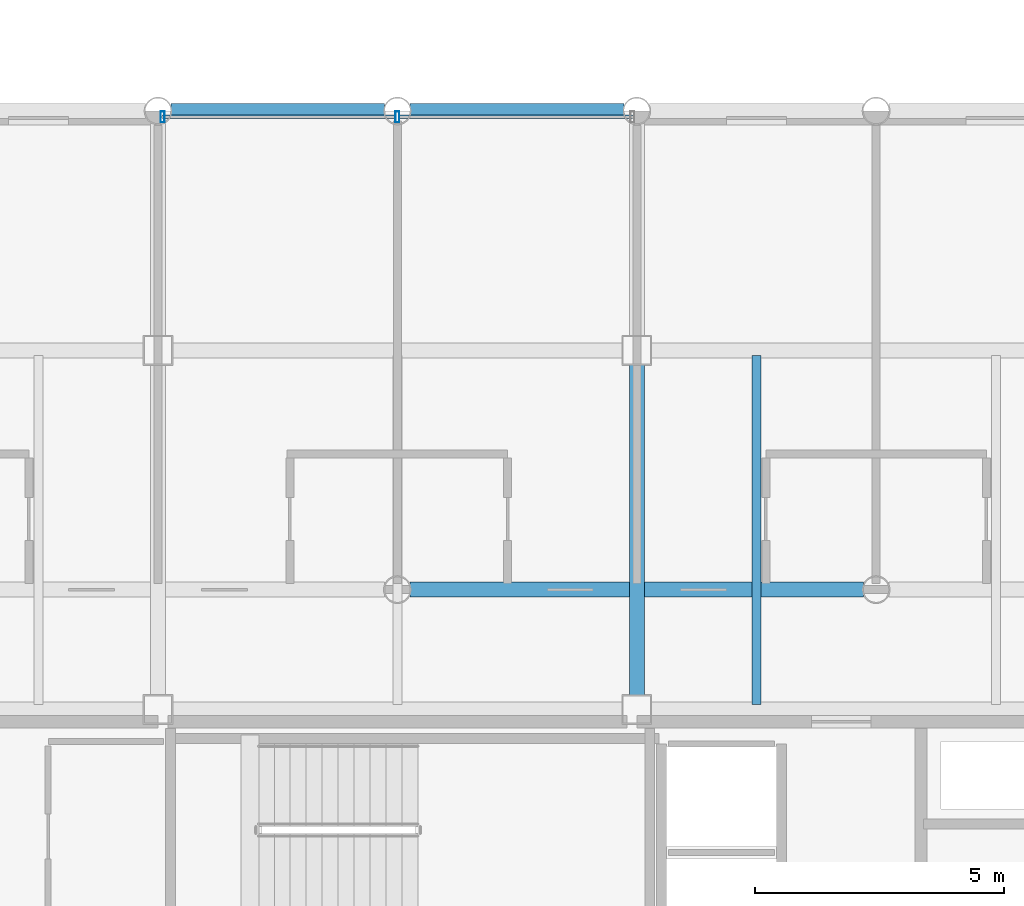
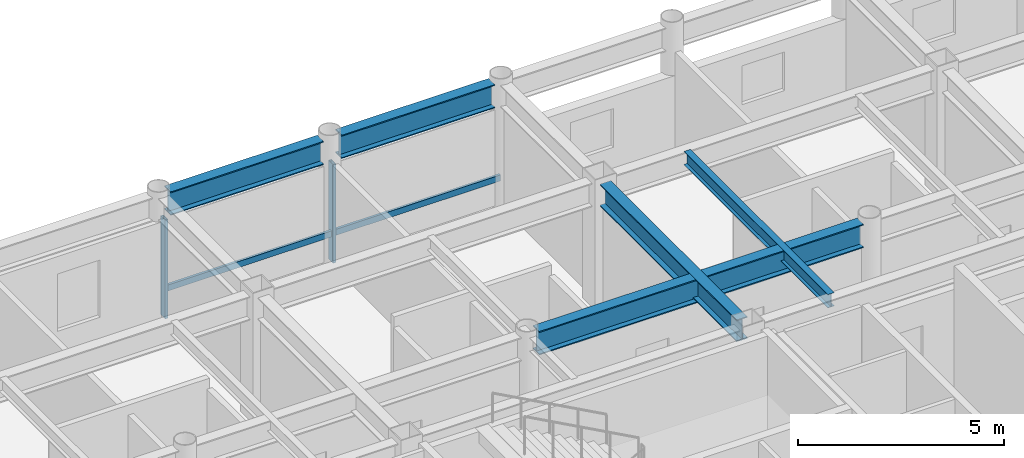
# One storey, part 13 of 23: 5 beams, 4 members, 1 element without a shape of its own.
"""IFC4 building model written with IfcOpenShell, lengths in metres."""

import ifcopenshell
import ifcopenshell.guid

model = None  # the IFC model being written
_history = None  # IfcOwnerHistory: only IFC2X3 demands one
_inside = {}  # id of a spatial element -> (the spatial element, [elements in it])
_under = {}  # id of a project, library or spatial element -> (it, [spatial elements below it])
_declared = {}  # id of a project -> (the project, [libraries it declares])
_typed = {}  # id of a type object -> (the type object, [elements of that type])
_made_of = {}  # id of a material, layer set ... -> (it, [elements and type objects made of it])


def new_model(schema):
    """Start an empty IFC model of exactly this schema.

    Asked for "IFC4X3", IfcOpenShell would pick the latest addendum, in which some entities
    have other attributes; the version numbers below select the first issue.
    IFC2X3 requires an IfcOwnerHistory on every rooted entity: one is made here for all.
    """
    global model, _history
    if schema == "IFC4X3":
        model = ifcopenshell.file(schema_version=(4, 3, 0, 0))
    else:
        model = ifcopenshell.file(schema=schema)
    _inside.clear()
    _under.clear()
    _declared.clear()
    _typed.clear()
    _made_of.clear()
    _history = None
    if model.schema == "IFC2X3":
        org = make("IfcOrganization", Name="unknown")
        user = make(
            "IfcPersonAndOrganization",
            ThePerson=make("IfcPerson", FamilyName="unknown"),
            TheOrganization=org,
        )
        app = make(
            "IfcApplication",
            ApplicationDeveloper=org,
            Version="unknown",
            ApplicationFullName="unknown",
            ApplicationIdentifier="unknown",
        )
        _history = make(
            "IfcOwnerHistory",
            OwningUser=user,
            OwningApplication=app,
            ChangeAction="ADDED",
            CreationDate=0,
        )
    return model


def make(cls, **values):
    """One entity of the class cls with the attributes given. An attribute that is None is left unset."""
    return model.create_entity(
        cls, **{name: value for name, value in values.items() if value is not None}
    )


def rooted(cls, **values):
    """An entity with a GlobalId (a new one), such as an element, a storey or a relation."""
    return make(cls, GlobalId=ifcopenshell.guid.new(), OwnerHistory=_history, **values)


def si_unit(unit_type, name, prefix=None):
    """IfcSIUnit, for example si_unit("LENGTHUNIT", "METRE", prefix="MILLI")."""
    return make("IfcSIUnit", UnitType=unit_type, Prefix=prefix, Name=name)


def assignment(units):
    """IfcUnitAssignment: the units of a project."""
    return None if units is None else make("IfcUnitAssignment", Units=units)


def point(xyz):
    """IfcCartesianPoint."""
    return None if xyz is None else make("IfcCartesianPoint", Coordinates=xyz)


def direction(xyz):
    """IfcDirection."""
    return None if xyz is None else make("IfcDirection", DirectionRatios=xyz)


def frame(location, z_axis=None, x_axis=None):
    """IfcAxis2Placement3D, a coordinate frame: its origin and axes. An axis left out is left unset."""
    return make(
        "IfcAxis2Placement3D",
        Location=point(location),
        Axis=direction(z_axis),
        RefDirection=direction(x_axis),
    )


def frame_2d(location, x_axis=None):
    """IfcAxis2Placement2D, a coordinate frame in the plane: its origin and x axis."""
    return make(
        "IfcAxis2Placement2D", Location=point(location), RefDirection=direction(x_axis)
    )


def origin():
    """The frame at (0, 0, 0) with its axes left unset."""
    return frame((0.0, 0.0, 0.0))


def origin_2d():
    """The frame at (0, 0) in the plane with its x axis left unset."""
    return frame_2d((0.0, 0.0))


def place(relative_to, where):
    """IfcLocalPlacement: puts the frame where relative to a parent placement (None: the world)."""
    return make(
        "IfcLocalPlacement", PlacementRelTo=relative_to, RelativePlacement=where
    )


def context(
    kind, dimensions, precision=None, world=None, true_north=None, identifier=None
):
    """IfcGeometricRepresentationContext, for example the 3D "Model" context."""
    return make(
        "IfcGeometricRepresentationContext",
        ContextIdentifier=identifier,
        ContextType=kind,
        CoordinateSpaceDimension=dimensions,
        Precision=precision,
        WorldCoordinateSystem=world,
        TrueNorth=true_north,
    )


def subcontext(parent, identifier, kind, view, scale=None):
    """IfcGeometricRepresentationSubContext, for example "Body" below "Model"."""
    return make(
        "IfcGeometricRepresentationSubContext",
        ContextIdentifier=identifier,
        ContextType=kind,
        ParentContext=parent,
        TargetScale=scale,
        TargetView=view,
    )


def project(units=None, contexts=None):
    """IfcProject with its units and contexts."""
    return rooted(
        "IfcProject",
        Name="project",
        RepresentationContexts=contexts,
        UnitsInContext=assignment(units),
    )


def spatial(cls, under=None, at=None, **own):
    """A site, building, storey or space (cls), placed at a placement, below another one or the project."""
    s = rooted(cls, ObjectPlacement=at, **own)
    if under is not None:
        _under.setdefault(under.id(), (under, []))[1].append(s)
    return s


def profile(cls, at=None, kind="AREA", **sizes):
    """A parametric profile (cls). Its sizes go by their IFC names, for example OverallWidth=200.0."""
    return make(cls, ProfileType=kind, Position=at, **sizes)


def hollow_rectangle(**sizes):
    """IfcRectangleHollowProfileDef."""
    return profile("IfcRectangleHollowProfileDef", **sizes)


def i_section(**sizes):
    """IfcIShapeProfileDef."""
    return profile("IfcIShapeProfileDef", **sizes)


def extrude(swept, where, along, depth):
    """IfcExtrudedAreaSolid: the profile swept, set in the frame where, extruded along a direction by depth."""
    return make(
        "IfcExtrudedAreaSolid",
        SweptArea=swept,
        Position=where,
        ExtrudedDirection=direction(along),
        Depth=depth,
    )


def shape(context_of_items, identifier, shape_type, items):
    """IfcShapeRepresentation: the items that make up one representation, for example the "Body"."""
    return make(
        "IfcShapeRepresentation",
        ContextOfItems=context_of_items,
        RepresentationIdentifier=identifier,
        RepresentationType=shape_type,
        Items=items,
    )


def material(Name=None, Category=None):
    """IfcMaterial."""
    return make("IfcMaterial", Name=Name, Category=Category)


def layer(
    of_material, thickness, ventilated=None, Name=None, Category=None, Priority=None
):
    """IfcMaterialLayer: one layer of a wall or slab, of a material (None: an air gap)."""
    return make(
        "IfcMaterialLayer",
        Material=of_material,
        LayerThickness=thickness,
        IsVentilated=ventilated,
        Name=Name,
        Category=Category,
        Priority=Priority,
    )


def layer_set(layers, Name=None):
    """IfcMaterialLayerSet."""
    return make("IfcMaterialLayerSet", MaterialLayers=layers, LayerSetName=Name)


def material_profile(
    of_material, cross_section, Name=None, Category=None, Priority=None
):
    """IfcMaterialProfile: a cross section and its material."""
    return make(
        "IfcMaterialProfile",
        Name=Name,
        Material=of_material,
        Profile=cross_section,
        Priority=Priority,
        Category=Category,
    )


def profile_set(profiles, Name=None, composite=None):
    """IfcMaterialProfileSet."""
    return make(
        "IfcMaterialProfileSet",
        Name=Name,
        MaterialProfiles=profiles,
        CompositeProfile=composite,
    )


def made_of(thing, what):
    """Note that an element or type object is made of a material, layer set ...; save() writes the relation."""
    if what is not None:
        _made_of.setdefault(what.id(), (what, []))[1].append(thing)
    return thing


def type_object(cls, material=None, **own):
    """A type object (cls), such as IfcWallType, which elements share."""
    return made_of(rooted(cls, **own), material)


def element(
    cls,
    number,
    at=None,
    inside=None,
    cuts=None,
    type_object=None,
    material=None,
    context=None,
    identifier="Body",
    shape_type=None,
    held_by="IfcProductDefinitionShape",
    body=None,
    shapes=None,
    **own,
):
    """One element of the class cls, such as IfcWall. Its Tag is "e" and its number.

    at: its placement. inside: the storey or other place that contains it. cuts: it is an
    opening in that element (IfcRelVoidsElement). A single representation is given by context,
    identifier, shape_type and body (its items); several are given by shapes. held_by: the class
    of the entity that holds the representations. save() writes the other relations.
    """
    e = rooted(cls, Tag="e%d" % number, ObjectPlacement=at, **own)
    if body is not None:
        shapes = [shape(context, identifier, shape_type, body)]
    if shapes is not None:
        e.Representation = make(held_by, Representations=shapes)
    if inside is not None:
        _inside.setdefault(inside.id(), (inside, []))[1].append(e)
    if cuts is not None:
        rooted(
            "IfcRelVoidsElement", RelatingBuildingElement=cuts, RelatedOpeningElement=e
        )
    if type_object is not None:
        _typed.setdefault(type_object.id(), (type_object, []))[1].append(e)
    return made_of(e, material)


def aggregate(whole, parts):
    """IfcRelAggregates: a whole, such as a stair, and the parts it consists of."""
    return rooted("IfcRelAggregates", RelatingObject=whole, RelatedObjects=parts)


def save(model, path):
    """Write the relations noted so far, then the file.

    IfcRelAggregates (storeys below a building ...), IfcRelContainedInSpatialStructure (elements
    in a storey), IfcRelDefinesByType, IfcRelAssociatesMaterial and IfcRelDeclares: one each for
    every whole, place, type object, material and project.
    """
    for whole, parts in _under.values():
        aggregate(whole, parts)
    for where, things in _inside.values():
        rooted(
            "IfcRelContainedInSpatialStructure",
            RelatedElements=things,
            RelatingStructure=where,
        )
    for kind, things in _typed.values():
        rooted("IfcRelDefinesByType", RelatedObjects=things, RelatingType=kind)
    for what, things in _made_of.values():
        rooted("IfcRelAssociatesMaterial", RelatedObjects=things, RelatingMaterial=what)
    for by, libraries in _declared.values():
        rooted("IfcRelDeclares", RelatingContext=by, RelatedDefinitions=libraries)
    model.write(path)


model = new_model("IFC4")

# Units and contexts
model_context = context("Model", 3, precision=1e-05, world=origin(), true_north=direction((0.0, 1.0)))
body_context = subcontext(model_context, "Body", "Model", "MODEL_VIEW")
ifc_project = project(units=[si_unit("LENGTHUNIT", "METRE"), si_unit("AREAUNIT", "SQUARE_METRE"), si_unit("VOLUMEUNIT", "CUBIC_METRE"), si_unit("PLANEANGLEUNIT", "RADIAN"), si_unit("MASSUNIT", "GRAM", prefix="KILO")], contexts=[model_context])

# Site, building, storey
site_placement = place(None, origin())
site = spatial("IfcSite", under=ifc_project, at=site_placement, CompositionType="ELEMENT")
building_placement = place(site_placement, origin())
building = spatial("IfcBuilding", under=site, at=building_placement, Name="Kallvorn Hotel Tower", CompositionType="ELEMENT")
storey_placement = place(building_placement, frame((0.0, 0.0, 195.35009765625)))
storey = spatial("IfcBuildingStorey", under=building, at=storey_placement, Name="L48", CompositionType="ELEMENT", Elevation=195.35009765625)

# Beams
ifc_material_1 = material(Name="Structural steel S355JR", Category="steel")
ifc_material_profile_1 = material_profile(ifc_material_1, i_section(OverallWidth=0.300048828125, OverallDepth=0.64990234375, WebThickness=0.01611328125, FlangeThickness=0.031005859375, at=origin_2d()), Name="HE 650 B")
ifc_profile_set_1 = profile_set([ifc_material_profile_1], Name="Structural steel S355JR")
beam_type_1 = type_object("IfcBeamType", Name="BM_HE650B", PredefinedType="BEAM", material=ifc_profile_set_1)
beam_1_placement = place(storey_placement, frame((4.800048828125, 7.47509765625, 3.344970703125), z_axis=(0.0, 1.0, 0.0), x_axis=(-1.0, 0.0, 0.0)))
element("IfcBeam", 1, at=beam_1_placement, inside=storey, type_object=beam_type_1, Name="L49 Primary Y-Girder 116", PredefinedType="BEAM", context=body_context, shape_type="SweptSolid", body=[
    extrude(i_section(OverallWidth=0.300048828125, OverallDepth=0.64990234375, WebThickness=0.01611328125, FlangeThickness=0.031005859375, at=origin_2d()), origin(), (0.0, 0.0, 1.0), 6.64990234375),
])
ifc_material_2 = material(Name="Structural steel S355JR", Category="steel")
ifc_material_profile_2 = material_profile(ifc_material_2, i_section(OverallWidth=0.300048828125, OverallDepth=0.699951171875, WebThickness=0.01708984375, FlangeThickness=0.031982421875, at=origin_2d()), Name="HE 700 B")
ifc_profile_set_2 = profile_set([ifc_material_profile_2], Name="Structural steel S355JR")
beam_type_2 = type_object("IfcBeamType", Name="BM_HE700B", PredefinedType="BEAM", material=ifc_profile_set_2)
beam_2_placement = place(storey_placement, frame((0.25439453125, 9.60009765625, 3.31982421875), z_axis=(1.0, 0.0, 0.0), x_axis=(0.0, 1.0, 0.0)))
element("IfcBeam", 2, at=beam_2_placement, inside=storey, type_object=beam_type_2, Name="L49 Primary X-Girder 46", PredefinedType="BEAM", context=body_context, shape_type="SweptSolid", body=[
    extrude(i_section(OverallWidth=0.300048828125, OverallDepth=0.699951171875, WebThickness=0.01708984375, FlangeThickness=0.031982421875, at=origin_2d()), origin(), (0.0, 0.0, 1.0), 9.091064453125),
])
for number, where, z_axis, x_axis, name in (
    (3, (-4.54541015625, 19.199951171875, 3.31982421875), (1.0, 0.0, 0.0), (0.0, 1.0, 0.0), "L49 Primary X-Girder 66"),
    (4, (0.25439453125, 19.199951171875, 3.31982421875), (1.0, 0.0, 0.0), (0.0, 1.0, 0.0), "L49 Primary X-Girder 67"),
):
    element("IfcBeam", number, at=place(storey_placement, frame(where, z_axis=z_axis, x_axis=x_axis)), inside=storey, type_object=beam_type_2, Name=name, PredefinedType="BEAM", context=body_context, shape_type="SweptSolid", body=[
        extrude(i_section(OverallWidth=0.300048828125, OverallDepth=0.699951171875, WebThickness=0.01708984375, FlangeThickness=0.031982421875, at=origin_2d()), origin(), (0.0, 0.0, 1.0), 4.291015625),
    ])
ifc_material_3 = material(Name="Structural steel S355JR", Category="steel")
ifc_material_profile_3 = material_profile(ifc_material_3, i_section(OverallWidth=0.179931640625, OverallDepth=0.39990234375, WebThickness=0.008544921875, FlangeThickness=0.013427734375, at=origin_2d()), Name="IPE 400")
ifc_profile_set_3 = profile_set([ifc_material_profile_3], Name="Structural steel S355JR")
beam_type_3 = type_object("IfcBeamType", Name="BM_IPE400", PredefinedType="JOIST", material=ifc_profile_set_3)
beam_3_placement = place(storey_placement, frame((7.199951171875, 7.300048828125, 3.469970703125), z_axis=(0.0, 1.0, 0.0), x_axis=(-1.0, 0.0, 0.0)))
element("IfcBeam", 5, at=beam_3_placement, inside=storey, type_object=beam_type_3, Name="L49 Secondary Composite Joist 203", PredefinedType="JOIST", context=body_context, shape_type="SweptSolid", body=[
    extrude(i_section(OverallWidth=0.179931640625, OverallDepth=0.39990234375, WebThickness=0.008544921875, FlangeThickness=0.013427734375, at=origin_2d()), origin(), (0.0, 0.0, 1.0), 7.0),
])

# Curtain wall, members
ifc_material_4 = material(Name="Thermally broken black-anodised aluminium AA 6063-T6", Category="aluminium")
ifc_layer = layer(ifc_material_4, 0.22998046875)
ifc_layer_set = layer_set([ifc_layer], Name="CW_SYS_5_HOTEL_HIGH")
curtain_wall_type = type_object("IfcCurtainWallType", Name="CW_SYS_5_HOTEL_HIGH", PredefinedType="USERDEFINED", material=ifc_layer_set)
curtain_wall_placement = place(storey_placement, origin())
curtain_wall = element("IfcCurtainWall", 6, at=curtain_wall_placement, inside=storey, type_object=curtain_wall_type, Name="L48 Dark-Glass Curtain Wall CW-L48-NC", ObjectType="UNITISED CURTAIN WALL", PredefinedType="USERDEFINED")
ifc_material_5 = material(Name="Thermally broken black-anodised aluminium AA 6063-T6", Category="aluminium")
ifc_material_profile_4 = material_profile(ifc_material_5, hollow_rectangle(XDim=0.080078125, YDim=0.219970703125, WallThickness=0.0048828125, at=origin_2d()), Name="MUL 220x80")
ifc_profile_set_4 = profile_set([ifc_material_profile_4], Name="Thermally broken black-anodised aluminium AA 6063-T6")
member_type_1 = type_object("IfcMemberType", Name="CW_MULLION_220x80", PredefinedType="MULLION", material=ifc_profile_set_4)
member_1_placement = place(storey_placement, frame((-4.7099609375, 19.080078125, 0.02001953125), z_axis=(0.0, 0.0, 1.0), x_axis=(1.0, 0.0, 0.0)))
member_1 = element("IfcMember", 7, at=member_1_placement, type_object=member_type_1, Name="CW-L48-NC Mullion 00", PredefinedType="MULLION", context=body_context, shape_type="SweptSolid", body=[
    extrude(hollow_rectangle(XDim=0.080078125, YDim=0.219970703125, WallThickness=0.0048828125, at=origin_2d()), origin(), (0.0, 0.0, 1.0), 2.929931640625),
])
member_2_placement = place(storey_placement, frame((0.0, 19.080078125, 0.02001953125), z_axis=(0.0, 0.0, 1.0), x_axis=(1.0, 0.0, 0.0)))
member_2 = element("IfcMember", 8, at=member_2_placement, type_object=member_type_1, Name="CW-L48-NC Mullion 01", PredefinedType="MULLION", context=body_context, shape_type="SweptSolid", body=[
    extrude(hollow_rectangle(XDim=0.080078125, YDim=0.219970703125, WallThickness=0.0048828125, at=origin_2d()), origin(), (0.0, 0.0, 1.0), 2.929931640625),
])
ifc_material_6 = material(Name="Thermally broken black-anodised aluminium AA 6063-T6", Category="aluminium")
ifc_material_profile_5 = material_profile(ifc_material_6, hollow_rectangle(XDim=0.070068359375, YDim=0.179931640625, WallThickness=0.00390625, at=origin_2d()), Name="TRN 180x70")
ifc_profile_set_5 = profile_set([ifc_material_profile_5], Name="Thermally broken black-anodised aluminium AA 6063-T6")
member_type_2 = type_object("IfcMemberType", Name="CW_TRANSOM_180x70", PredefinedType="USERDEFINED", material=ifc_profile_set_5)
member_3_placement = place(storey_placement, frame((-4.7099609375, 19.080078125, 0.849853515625), z_axis=(1.0, 0.0, 0.0), x_axis=(0.0, 1.0, 0.0)))
member_3 = element("IfcMember", 9, at=member_3_placement, type_object=member_type_2, Name="CW-L48-NC Transom 00M", ObjectType="TRANSOM", PredefinedType="USERDEFINED", context=body_context, shape_type="SweptSolid", body=[
    extrude(hollow_rectangle(XDim=0.070068359375, YDim=0.179931640625, WallThickness=0.00390625, at=origin_2d()), origin(), (0.0, 0.0, 1.0), 4.669921875),
])
member_4_placement = place(storey_placement, frame((0.0400390625, 19.080078125, 0.849853515625), z_axis=(1.0, 0.0, 0.0), x_axis=(0.0, 1.0, 0.0)))
member_4 = element("IfcMember", 10, at=member_4_placement, type_object=member_type_2, Name="CW-L48-NC Transom 01M", ObjectType="TRANSOM", PredefinedType="USERDEFINED", context=body_context, shape_type="SweptSolid", body=[
    extrude(hollow_rectangle(XDim=0.070068359375, YDim=0.179931640625, WallThickness=0.00390625, at=origin_2d()), origin(), (0.0, 0.0, 1.0), 4.669921875),
])
aggregate(curtain_wall, [member_1, member_2, member_3, member_4])

save(model, "model.ifc")
